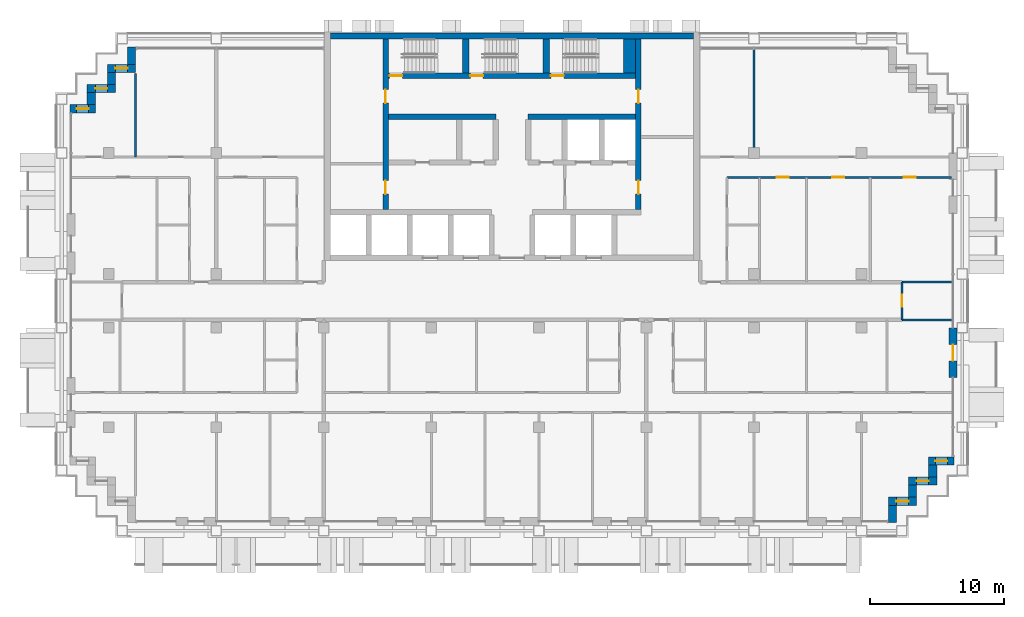
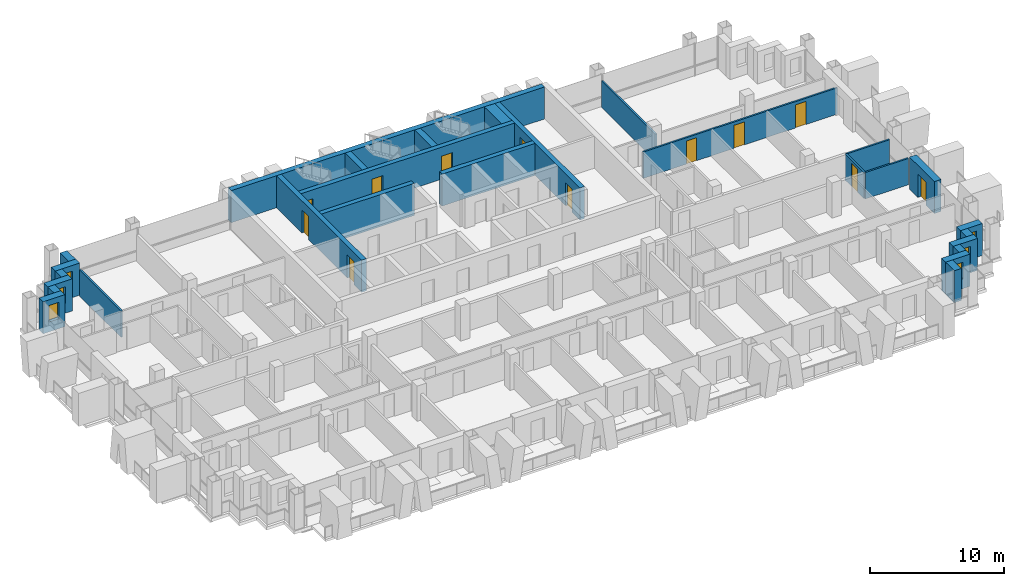
# One storey, part 11 of 18: 28 walls, 12 doors, 6 windows, 18 openings.
"""IFC4 building model written with IfcOpenShell, lengths in metres."""

from ifc_helpers import new_model, si_unit, direction, frame, frame_2d, origin, place, context, subcontext, project, spatial, rectangle, extrude, material, layer, layer_set, type_object, element, fill, save


model = new_model("IFC4")

# Units and contexts
model_context = context("Model", 3, precision=1e-05, world=origin(), true_north=direction((0.0, 1.0)))
body_context = subcontext(model_context, "Body", "Model", "MODEL_VIEW")
ifc_project = project(units=[si_unit("LENGTHUNIT", "METRE"), si_unit("AREAUNIT", "SQUARE_METRE"), si_unit("VOLUMEUNIT", "CUBIC_METRE"), si_unit("PLANEANGLEUNIT", "RADIAN"), si_unit("MASSUNIT", "GRAM", prefix="KILO")], contexts=[model_context])

# Site, building, storey
site_placement = place(None, origin())
site = spatial("IfcSite", under=ifc_project, at=site_placement, CompositionType="ELEMENT")
building_placement = place(site_placement, origin())
building = spatial("IfcBuilding", under=site, at=building_placement, Name="Vidyagriha Tower", CompositionType="ELEMENT")
storey_placement = place(building_placement, frame((0.0, 0.0, 142.199951171875)))
storey = spatial("IfcBuildingStorey", under=building, at=storey_placement, Name="L37", CompositionType="ELEMENT", Elevation=142.199951171875)

# Wall
ifc_material_1 = material(Name="Precast concrete C40/50 with brick facing", Category="concrete")
ifc_layer_1 = layer(ifc_material_1, 0.60009765625)
ifc_layer_set_1 = layer_set([ifc_layer_1], Name="Precast concrete C40/50 with brick facing")
wall_type_1 = type_object("IfcWallType", Name="Brick-faced precast wall 600", PredefinedType="STANDARD", material=ifc_layer_set_1)
wall_1_placement = place(storey_placement, frame((-28.300048828125, 18.8798828125, 0.0), z_axis=(0.0, 0.0, 1.0), x_axis=(0.0, -1.0, 0.0)))
element("IfcWall", 1, at=wall_1_placement, inside=storey, type_object=wall_type_1, Name="Stepped corner wall L37 R10", PredefinedType="STANDARD", context=body_context, shape_type="SweptSolid", body=[
    extrude(rectangle(XDim=1.27978515625, YDim=0.60009765625, at=frame_2d((0.639892578125, 0.0))), origin(), (0.0, 0.0, 1.0), 2.920166015625),
])

# Wall, opening, window
wall_2_placement = place(storey_placement, frame((-28.0, 17.300048828125, 0.0), z_axis=(0.0, 0.0, 1.0), x_axis=(-1.0, 0.0, 0.0)))
wall_2 = element("IfcWall", 2, at=wall_2_placement, inside=storey, type_object=wall_type_1, Name="Stepped corner wall L37 R11", PredefinedType="STANDARD", context=body_context, shape_type="SweptSolid", body=[
    extrude(rectangle(XDim=2.10009765625, YDim=0.60009765625, at=frame_2d((1.050048828125, 0.0))), origin(), (0.0, 0.0, 1.0), 2.920166015625),
])
opening_1_placement = place(wall_2_placement, frame((0.60009765625, 0.0, 0.89990234375)))
opening_1 = element("IfcOpeningElement", 3, at=opening_1_placement, cuts=wall_2, Name="Opening WN1", PredefinedType="OPENING", context=body_context, shape_type="SweptSolid", body=[
    extrude(rectangle(XDim=0.89990234375, YDim=1.5, at=frame_2d((0.449951171875, 0.75))), frame((0.0, 0.31005859375, 0.0), z_axis=(0.0, -1.0, 0.0), x_axis=(1.0, 0.0, 0.0)), (0.0, 0.0, 1.0), 0.6201171875),
])
ifc_material_2 = material(Name="Aluminium and glass window", Category="aluminium")
window_type = type_object("IfcWindowType", Name="Reveal window 900x1500", PartitioningType="NOTDEFINED", PredefinedType="WINDOW", material=ifc_material_2)
window_1_placement = place(opening_1_placement, origin())
window_1 = element("IfcWindow", 4, at=window_1_placement, inside=storey, type_object=window_type, Name="Reveal window L37 R11", OverallHeight=1.5, OverallWidth=0.89990234375, PartitioningType="SINGLE_PANEL", PredefinedType="WINDOW", context=body_context, shape_type="SweptSolid", body=[
    extrude(rectangle(XDim=0.89990234375, YDim=1.5, at=frame_2d((0.449951171875, 0.75))), frame((0.0, 0.030029296875, 0.0), z_axis=(0.0, -1.0, 0.0), x_axis=(1.0, 0.0, 0.0)), (0.0, 0.0, 1.0), 0.06005859375),
])
fill(opening_1, window_1)

# Wall
wall_3_placement = place(storey_placement, frame((-29.800048828125, 17.0, 0.0), z_axis=(0.0, 0.0, 1.0), x_axis=(0.0, -1.0, 0.0)))
element("IfcWall", 5, at=wall_3_placement, inside=storey, type_object=wall_type_1, Name="Stepped corner wall L37 R12", PredefinedType="STANDARD", context=body_context, shape_type="SweptSolid", body=[
    extrude(rectangle(XDim=0.89990234375, YDim=0.60009765625, at=frame_2d((0.449951171875, 0.0))), origin(), (0.0, 0.0, 1.0), 2.920166015625),
])

# Wall, opening, window
wall_4_placement = place(storey_placement, frame((-29.5, 15.800048828125, 0.0), z_axis=(0.0, 0.0, 1.0), x_axis=(-1.0, 0.0, 0.0)))
wall_4 = element("IfcWall", 6, at=wall_4_placement, inside=storey, type_object=wall_type_1, Name="Stepped corner wall L37 R13", PredefinedType="STANDARD", context=body_context, shape_type="SweptSolid", body=[
    extrude(rectangle(XDim=2.10009765625, YDim=0.60009765625, at=frame_2d((1.050048828125, 0.0))), origin(), (0.0, 0.0, 1.0), 2.920166015625),
])
opening_2_placement = place(wall_4_placement, frame((0.60009765625, 0.0, 0.89990234375)))
opening_2 = element("IfcOpeningElement", 7, at=opening_2_placement, cuts=wall_4, Name="Opening WN1", PredefinedType="OPENING", context=body_context, shape_type="SweptSolid", body=[
    extrude(rectangle(XDim=0.89990234375, YDim=1.5, at=frame_2d((0.449951171875, 0.75))), frame((0.0, 0.31005859375, 0.0), z_axis=(0.0, -1.0, 0.0), x_axis=(1.0, 0.0, 0.0)), (0.0, 0.0, 1.0), 0.6201171875),
])
window_2_placement = place(opening_2_placement, origin())
window_2 = element("IfcWindow", 8, at=window_2_placement, inside=storey, type_object=window_type, Name="Reveal window L37 R13", OverallHeight=1.5, OverallWidth=0.89990234375, PartitioningType="SINGLE_PANEL", PredefinedType="WINDOW", context=body_context, shape_type="SweptSolid", body=[
    extrude(rectangle(XDim=0.89990234375, YDim=1.5, at=frame_2d((0.449951171875, 0.75))), frame((0.0, 0.030029296875, 0.0), z_axis=(0.0, -1.0, 0.0), x_axis=(1.0, 0.0, 0.0)), (0.0, 0.0, 1.0), 0.06005859375),
])
fill(opening_2, window_2)

# Wall
wall_5_placement = place(storey_placement, frame((-31.300048828125, 15.5, 0.0), z_axis=(0.0, 0.0, 1.0), x_axis=(0.0, -1.0, 0.0)))
element("IfcWall", 9, at=wall_5_placement, inside=storey, type_object=wall_type_1, Name="Stepped corner wall L37 R14", PredefinedType="STANDARD", context=body_context, shape_type="SweptSolid", body=[
    extrude(rectangle(XDim=0.89990234375, YDim=0.60009765625, at=frame_2d((0.449951171875, 0.0))), origin(), (0.0, 0.0, 1.0), 2.920166015625),
])

# Wall, opening, window
wall_6_placement = place(storey_placement, frame((-31.0, 14.300048828125, 0.0), z_axis=(0.0, 0.0, 1.0), x_axis=(-1.0, 0.0, 0.0)))
wall_6 = element("IfcWall", 10, at=wall_6_placement, inside=storey, type_object=wall_type_1, Name="Stepped corner wall L37 R15", PredefinedType="STANDARD", context=body_context, shape_type="SweptSolid", body=[
    extrude(rectangle(XDim=1.8798828125, YDim=0.60009765625, at=frame_2d((0.93994140625, 0.0))), origin(), (0.0, 0.0, 1.0), 2.920166015625),
])
opening_3_placement = place(wall_6_placement, frame((0.489990234375, 0.0, 0.89990234375)))
opening_3 = element("IfcOpeningElement", 11, at=opening_3_placement, cuts=wall_6, Name="Opening WN1", PredefinedType="OPENING", context=body_context, shape_type="SweptSolid", body=[
    extrude(rectangle(XDim=0.89990234375, YDim=1.5, at=frame_2d((0.449951171875, 0.75))), frame((0.0, 0.31005859375, 0.0), z_axis=(0.0, -1.0, 0.0), x_axis=(1.0, 0.0, 0.0)), (0.0, 0.0, 1.0), 0.6201171875),
])
window_3_placement = place(opening_3_placement, origin())
window_3 = element("IfcWindow", 12, at=window_3_placement, inside=storey, type_object=window_type, Name="Reveal window L37 R15", OverallHeight=1.5, OverallWidth=0.89990234375, PartitioningType="SINGLE_PANEL", PredefinedType="WINDOW", context=body_context, shape_type="SweptSolid", body=[
    extrude(rectangle(XDim=0.89990234375, YDim=1.5, at=frame_2d((0.449951171875, 0.75))), frame((0.0, 0.030029296875, 0.0), z_axis=(0.0, -1.0, 0.0), x_axis=(1.0, 0.0, 0.0)), (0.0, 0.0, 1.0), 0.06005859375),
])
fill(opening_3, window_3)

# Wall
wall_7_placement = place(storey_placement, frame((28.300048828125, -16.47998046875, 0.0), z_axis=(0.0, 0.0, 1.0), x_axis=(0.0, 1.0, 0.0)))
element("IfcWall", 13, at=wall_7_placement, inside=storey, type_object=wall_type_1, Name="Stepped corner wall L37 R24", PredefinedType="STANDARD", context=body_context, shape_type="SweptSolid", body=[
    extrude(rectangle(XDim=1.280029296875, YDim=0.60009765625, at=frame_2d((0.64013671875, 0.0))), origin(), (0.0, 0.0, 1.0), 2.920166015625),
])

# Wall, opening, window
wall_8_placement = place(storey_placement, frame((28.0, -14.89990234375, 0.0)))
wall_8 = element("IfcWall", 14, at=wall_8_placement, inside=storey, type_object=wall_type_1, Name="Stepped corner wall L37 R25", PredefinedType="STANDARD", context=body_context, shape_type="SweptSolid", body=[
    extrude(rectangle(XDim=2.10009765625, YDim=0.60009765625, at=frame_2d((1.050048828125, 0.0))), origin(), (0.0, 0.0, 1.0), 2.920166015625),
])
opening_4_placement = place(wall_8_placement, frame((0.60009765625, 0.0, 0.89990234375)))
opening_4 = element("IfcOpeningElement", 15, at=opening_4_placement, cuts=wall_8, Name="Opening WN1", PredefinedType="OPENING", context=body_context, shape_type="SweptSolid", body=[
    extrude(rectangle(XDim=0.89990234375, YDim=1.5, at=frame_2d((0.449951171875, 0.75))), frame((0.0, 0.31005859375, 0.0), z_axis=(0.0, -1.0, 0.0), x_axis=(1.0, 0.0, 0.0)), (0.0, 0.0, 1.0), 0.6201171875),
])
window_4_placement = place(opening_4_placement, origin())
window_4 = element("IfcWindow", 16, at=window_4_placement, inside=storey, type_object=window_type, Name="Reveal window L37 R25", OverallHeight=1.5, OverallWidth=0.89990234375, PartitioningType="SINGLE_PANEL", PredefinedType="WINDOW", context=body_context, shape_type="SweptSolid", body=[
    extrude(rectangle(XDim=0.89990234375, YDim=1.5, at=frame_2d((0.449951171875, 0.75))), frame((0.0, 0.030029296875, 0.0), z_axis=(0.0, -1.0, 0.0), x_axis=(1.0, 0.0, 0.0)), (0.0, 0.0, 1.0), 0.06005859375),
])
fill(opening_4, window_4)

# Wall
wall_9_placement = place(storey_placement, frame((29.800048828125, -14.60009765625, 0.0), z_axis=(0.0, 0.0, 1.0), x_axis=(0.0, 1.0, 0.0)))
element("IfcWall", 17, at=wall_9_placement, inside=storey, type_object=wall_type_1, Name="Stepped corner wall L37 R26", PredefinedType="STANDARD", context=body_context, shape_type="SweptSolid", body=[
    extrude(rectangle(XDim=0.900146484375, YDim=0.60009765625, at=frame_2d((0.4501953125, 0.0))), origin(), (0.0, 0.0, 1.0), 2.920166015625),
])

# Wall, opening, window
wall_10_placement = place(storey_placement, frame((29.5, -13.39990234375, 0.0)))
wall_10 = element("IfcWall", 18, at=wall_10_placement, inside=storey, type_object=wall_type_1, Name="Stepped corner wall L37 R27", PredefinedType="STANDARD", context=body_context, shape_type="SweptSolid", body=[
    extrude(rectangle(XDim=2.10009765625, YDim=0.60009765625, at=frame_2d((1.050048828125, 0.0))), origin(), (0.0, 0.0, 1.0), 2.920166015625),
])
opening_5_placement = place(wall_10_placement, frame((0.60009765625, 0.0, 0.89990234375)))
opening_5 = element("IfcOpeningElement", 19, at=opening_5_placement, cuts=wall_10, Name="Opening WN1", PredefinedType="OPENING", context=body_context, shape_type="SweptSolid", body=[
    extrude(rectangle(XDim=0.89990234375, YDim=1.5, at=frame_2d((0.449951171875, 0.75))), frame((0.0, 0.31005859375, 0.0), z_axis=(0.0, -1.0, 0.0), x_axis=(1.0, 0.0, 0.0)), (0.0, 0.0, 1.0), 0.6201171875),
])
window_5_placement = place(opening_5_placement, origin())
window_5 = element("IfcWindow", 20, at=window_5_placement, inside=storey, type_object=window_type, Name="Reveal window L37 R27", OverallHeight=1.5, OverallWidth=0.89990234375, PartitioningType="SINGLE_PANEL", PredefinedType="WINDOW", context=body_context, shape_type="SweptSolid", body=[
    extrude(rectangle(XDim=0.89990234375, YDim=1.5, at=frame_2d((0.449951171875, 0.75))), frame((0.0, 0.030029296875, 0.0), z_axis=(0.0, -1.0, 0.0), x_axis=(1.0, 0.0, 0.0)), (0.0, 0.0, 1.0), 0.06005859375),
])
fill(opening_5, window_5)

# Wall
wall_11_placement = place(storey_placement, frame((31.300048828125, -13.10009765625, 0.0), z_axis=(0.0, 0.0, 1.0), x_axis=(0.0, 1.0, 0.0)))
element("IfcWall", 21, at=wall_11_placement, inside=storey, type_object=wall_type_1, Name="Stepped corner wall L37 R28", PredefinedType="STANDARD", context=body_context, shape_type="SweptSolid", body=[
    extrude(rectangle(XDim=0.900146484375, YDim=0.60009765625, at=frame_2d((0.4501953125, 0.0))), origin(), (0.0, 0.0, 1.0), 2.920166015625),
])

# Wall, opening, window
wall_12_placement = place(storey_placement, frame((31.0, -11.89990234375, 0.0)))
wall_12 = element("IfcWall", 22, at=wall_12_placement, inside=storey, type_object=wall_type_1, Name="Stepped corner wall L37 R29", PredefinedType="STANDARD", context=body_context, shape_type="SweptSolid", body=[
    extrude(rectangle(XDim=1.8798828125, YDim=0.60009765625, at=frame_2d((0.93994140625, 0.0))), origin(), (0.0, 0.0, 1.0), 2.920166015625),
])
opening_6_placement = place(wall_12_placement, frame((0.489990234375, 0.0, 0.89990234375)))
opening_6 = element("IfcOpeningElement", 23, at=opening_6_placement, cuts=wall_12, Name="Opening WN1", PredefinedType="OPENING", context=body_context, shape_type="SweptSolid", body=[
    extrude(rectangle(XDim=0.89990234375, YDim=1.5, at=frame_2d((0.449951171875, 0.75))), frame((0.0, 0.31005859375, 0.0), z_axis=(0.0, -1.0, 0.0), x_axis=(1.0, 0.0, 0.0)), (0.0, 0.0, 1.0), 0.6201171875),
])
window_6_placement = place(opening_6_placement, origin())
window_6 = element("IfcWindow", 24, at=window_6_placement, inside=storey, type_object=window_type, Name="Reveal window L37 R29", OverallHeight=1.5, OverallWidth=0.89990234375, PartitioningType="SINGLE_PANEL", PredefinedType="WINDOW", context=body_context, shape_type="SweptSolid", body=[
    extrude(rectangle(XDim=0.89990234375, YDim=1.5, at=frame_2d((0.449951171875, 0.75))), frame((0.0, 0.030029296875, 0.0), z_axis=(0.0, -1.0, 0.0), x_axis=(1.0, 0.0, 0.0)), (0.0, 0.0, 1.0), 0.06005859375),
])
fill(opening_6, window_6)

# Wall, opening, door
wall_13_placement = place(storey_placement, frame((32.800048828125, -5.699951171875, 0.0), z_axis=(0.0, 0.0, 1.0), x_axis=(0.0, 1.0, 0.0)))
wall_13 = element("IfcWall", 25, at=wall_13_placement, inside=storey, type_object=wall_type_1, Name="Brick door bay wall L37 R30.3", PredefinedType="STANDARD", context=body_context, shape_type="SweptSolid", body=[
    extrude(rectangle(XDim=3.699951171875, YDim=0.60009765625, at=frame_2d((1.85009765625, 0.0))), origin(), (0.0, 0.0, 1.0), 2.920166015625),
])
opening_7_placement = place(wall_13_placement, frame((1.25, 0.0, 0.0)))
opening_7 = element("IfcOpeningElement", 26, at=opening_7_placement, cuts=wall_13, Name="Opening D37-75", PredefinedType="OPENING", context=body_context, shape_type="SweptSolid", body=[
    extrude(rectangle(XDim=1.199951171875, YDim=2.10009765625, at=frame_2d((0.60009765625, 1.050048828125))), frame((0.0, 0.31005859375, 0.0), z_axis=(0.0, -1.0, 0.0), x_axis=(1.0, 0.0, 0.0)), (0.0, 0.0, 1.0), 0.6201171875),
])
ifc_material_3 = material(Name="Aluminium framed glazed sliding door", Category="aluminium")
door_type_1 = type_object("IfcDoorType", Name="Balcony sliding door 1200x2100", OperationType="NOTDEFINED", PredefinedType="DOOR", material=ifc_material_3)
door_1_placement = place(opening_7_placement, origin())
door_1 = element("IfcDoor", 27, at=door_1_placement, inside=storey, type_object=door_type_1, Name="Door D37-75", OperationType="SLIDING_TO_LEFT", OverallHeight=2.10009765625, OverallWidth=1.199951171875, PredefinedType="DOOR", context=body_context, shape_type="SweptSolid", body=[
    extrude(rectangle(XDim=1.199951171875, YDim=2.10009765625, at=frame_2d((0.60009765625, 1.050048828125))), frame((0.0, 0.02490234375, 0.0), z_axis=(0.0, -1.0, 0.0), x_axis=(1.0, 0.0, 0.0)), (0.0, 0.0, 1.0), 0.050048828125),
])
fill(opening_7, door_1)

# Wall, openings, doors
ifc_material_4 = material(Name="Concrete C60/75", Category="concrete")
ifc_layer_2 = layer(ifc_material_4, 0.39990234375)
ifc_layer_set_2 = layer_set([ifc_layer_2], Name="Concrete C60/75")
wall_type_2 = type_object("IfcWallType", Name="Core shear wall 400 mm", PredefinedType="SHEAR", material=ifc_layer_set_2)
wall_14_placement = place(storey_placement, frame((-9.39990234375, 6.800048828125, 0.0), z_axis=(0.0, 0.0, 1.0), x_axis=(0.0, 1.0, 0.0)))
wall_14 = element("IfcWall", 28, at=wall_14_placement, inside=storey, type_object=wall_type_2, Name="Core west spine wall", PredefinedType="SHEAR", context=body_context, shape_type="SweptSolid", body=[
    extrude(rectangle(XDim=12.699951171875, YDim=0.39990234375, at=frame_2d((6.35009765625, 0.0))), origin(), (0.0, 0.0, 1.0), 2.920166015625),
])
opening_8_placement = place(wall_14_placement, frame((1.14990234375, 0.0, 0.0)))
opening_8 = element("IfcOpeningElement", 29, at=opening_8_placement, cuts=wall_14, Name="Opening D37-09", PredefinedType="OPENING", context=body_context, shape_type="SweptSolid", body=[
    extrude(rectangle(XDim=1.0, YDim=2.10009765625, at=frame_2d((0.5, 1.050048828125))), frame((0.0, 0.2099609375, 0.0), z_axis=(0.0, -1.0, 0.0), x_axis=(1.0, 0.0, 0.0)), (0.0, 0.0, 1.0), 0.419921875),
])
opening_9_placement = place(wall_14_placement, frame((7.925048828125, 0.0, 0.0)))
opening_9 = element("IfcOpeningElement", 30, at=opening_9_placement, cuts=wall_14, Name="Opening D37-10", PredefinedType="OPENING", context=body_context, shape_type="SweptSolid", body=[
    extrude(rectangle(XDim=1.0, YDim=2.10009765625, at=frame_2d((0.5, 1.050048828125))), frame((0.0, 0.2099609375, 0.0), z_axis=(0.0, -1.0, 0.0), x_axis=(1.0, 0.0, 0.0)), (0.0, 0.0, 1.0), 0.419921875),
])
ifc_material_5 = material(Name="Hollow metal door leaf")
door_type_2 = type_object("IfcDoorType", Name="Core room door 1000 x 2100 mm EI 60", OperationType="NOTDEFINED", PredefinedType="DOOR", material=ifc_material_5)
door_2_placement = place(opening_8_placement, frame((1.0, 0.0, 0.0), z_axis=(0.0, 0.0, 1.0), x_axis=(-1.0, 0.0, 0.0)))
door_2 = element("IfcDoor", 31, at=door_2_placement, inside=storey, type_object=door_type_2, Name="Door Refuse Room 37.W1", OperationType="SINGLE_SWING_RIGHT", OverallHeight=2.10009765625, OverallWidth=1.0, PredefinedType="DOOR", context=body_context, shape_type="SweptSolid", body=[
    extrude(rectangle(XDim=1.0, YDim=2.10009765625, at=frame_2d((0.5, 1.050048828125))), frame((0.0, 0.02490234375, 0.0), z_axis=(0.0, -1.0, 0.0), x_axis=(1.0, 0.0, 0.0)), (0.0, 0.0, 1.0), 0.050048828125),
])
fill(opening_8, door_2)
door_3_placement = place(opening_9_placement, frame((1.0, 0.0, 0.0), z_axis=(0.0, 0.0, 1.0), x_axis=(-1.0, 0.0, 0.0)))
door_3 = element("IfcDoor", 32, at=door_3_placement, inside=storey, type_object=door_type_2, Name="Door Switchgear Room 37.W2", OperationType="SINGLE_SWING_LEFT", OverallHeight=2.10009765625, OverallWidth=1.0, PredefinedType="DOOR", context=body_context, shape_type="SweptSolid", body=[
    extrude(rectangle(XDim=1.0, YDim=2.10009765625, at=frame_2d((0.5, 1.050048828125))), frame((0.0, 0.02490234375, 0.0), z_axis=(0.0, -1.0, 0.0), x_axis=(1.0, 0.0, 0.0)), (0.0, 0.0, 1.0), 0.050048828125),
])
fill(opening_9, door_3)

wall_15_placement = place(storey_placement, frame((9.39990234375, 6.800048828125, 0.0), z_axis=(0.0, 0.0, 1.0), x_axis=(0.0, 1.0, 0.0)))
wall_15 = element("IfcWall", 33, at=wall_15_placement, inside=storey, type_object=wall_type_2, Name="Core east spine wall", PredefinedType="SHEAR", context=body_context, shape_type="SweptSolid", body=[
    extrude(rectangle(XDim=12.699951171875, YDim=0.39990234375, at=frame_2d((6.35009765625, 0.0))), origin(), (0.0, 0.0, 1.0), 2.920166015625),
])
opening_10_placement = place(wall_15_placement, frame((1.14990234375, 0.0, 0.0)))
opening_10 = element("IfcOpeningElement", 34, at=opening_10_placement, cuts=wall_15, Name="Opening D37-11", PredefinedType="OPENING", context=body_context, shape_type="SweptSolid", body=[
    extrude(rectangle(XDim=1.0, YDim=2.10009765625, at=frame_2d((0.5, 1.050048828125))), frame((0.0, 0.2099609375, 0.0), z_axis=(0.0, -1.0, 0.0), x_axis=(1.0, 0.0, 0.0)), (0.0, 0.0, 1.0), 0.419921875),
])
opening_11_placement = place(wall_15_placement, frame((7.925048828125, 0.0, 0.0)))
opening_11 = element("IfcOpeningElement", 35, at=opening_11_placement, cuts=wall_15, Name="Opening D37-12", PredefinedType="OPENING", context=body_context, shape_type="SweptSolid", body=[
    extrude(rectangle(XDim=1.0, YDim=2.10009765625, at=frame_2d((0.5, 1.050048828125))), frame((0.0, 0.2099609375, 0.0), z_axis=(0.0, -1.0, 0.0), x_axis=(1.0, 0.0, 0.0)), (0.0, 0.0, 1.0), 0.419921875),
])
door_4_placement = place(opening_10_placement, origin())
door_4 = element("IfcDoor", 36, at=door_4_placement, inside=storey, type_object=door_type_2, Name="Door Pressurisation Plant Room 37.E1", OperationType="SINGLE_SWING_RIGHT", OverallHeight=2.10009765625, OverallWidth=1.0, PredefinedType="DOOR", context=body_context, shape_type="SweptSolid", body=[
    extrude(rectangle(XDim=1.0, YDim=2.10009765625, at=frame_2d((0.5, 1.050048828125))), frame((0.0, 0.02490234375, 0.0), z_axis=(0.0, -1.0, 0.0), x_axis=(1.0, 0.0, 0.0)), (0.0, 0.0, 1.0), 0.050048828125),
])
fill(opening_10, door_4)
door_5_placement = place(opening_11_placement, origin())
door_5 = element("IfcDoor", 37, at=door_5_placement, inside=storey, type_object=door_type_2, Name="Door Storage Room 37.E2", OperationType="SINGLE_SWING_LEFT", OverallHeight=2.10009765625, OverallWidth=1.0, PredefinedType="DOOR", context=body_context, shape_type="SweptSolid", body=[
    extrude(rectangle(XDim=1.0, YDim=2.10009765625, at=frame_2d((0.5, 1.050048828125))), frame((0.0, 0.02490234375, 0.0), z_axis=(0.0, -1.0, 0.0), x_axis=(1.0, 0.0, 0.0)), (0.0, 0.0, 1.0), 0.050048828125),
])
fill(opening_11, door_5)

# Walls
for number, where, name in (
    (38, (-9.199951171875, 13.699951171875, 0.0), "Core row N rear wall"),
    (39, (1.199951171875, 13.699951171875, 0.0), "Core row N rear wall"),
):
    element("IfcWall", number, at=place(storey_placement, frame(where)), inside=storey, type_object=wall_type_2, Name=name, PredefinedType="SHEAR", context=body_context, shape_type="SweptSolid", body=[
        extrude(rectangle(XDim=8.0, YDim=0.39990234375, at=frame_2d((4.0, 0.0))), origin(), (0.0, 0.0, 1.0), 2.920166015625),
    ])

# Wall, openings, doors
wall_16_placement = place(storey_placement, frame((-9.199951171875, 16.75, 0.0)))
wall_16 = element("IfcWall", 40, at=wall_16_placement, inside=storey, type_object=wall_type_2, Name="Stair front wall", PredefinedType="SHEAR", context=body_context, shape_type="SweptSolid", body=[
    extrude(rectangle(XDim=18.39990234375, YDim=0.39990234375, at=frame_2d((9.199951171875, 0.0))), origin(), (0.0, 0.0, 1.0), 2.920166015625),
])
opening_12_placement = place(wall_16_placement, frame((0.10009765625, 0.0, 0.0)))
opening_12 = element("IfcOpeningElement", 41, at=opening_12_placement, cuts=wall_16, Name="Opening D37-06", PredefinedType="OPENING", context=body_context, shape_type="SweptSolid", body=[
    extrude(rectangle(XDim=0.949951171875, YDim=2.10009765625, at=frame_2d((0.47509765625, 1.050048828125))), frame((0.0, 0.2099609375, 0.0), z_axis=(0.0, -1.0, 0.0), x_axis=(1.0, 0.0, 0.0)), (0.0, 0.0, 1.0), 0.419921875),
])
opening_13_placement = place(wall_16_placement, frame((6.10009765625, 0.0, 0.0)))
opening_13 = element("IfcOpeningElement", 42, at=opening_13_placement, cuts=wall_16, Name="Opening D37-07", PredefinedType="OPENING", context=body_context, shape_type="SweptSolid", body=[
    extrude(rectangle(XDim=0.949951171875, YDim=2.10009765625, at=frame_2d((0.47509765625, 1.050048828125))), frame((0.0, 0.2099609375, 0.0), z_axis=(0.0, -1.0, 0.0), x_axis=(1.0, 0.0, 0.0)), (0.0, 0.0, 1.0), 0.419921875),
])
opening_14_placement = place(wall_16_placement, frame((12.10009765625, 0.0, 0.0)))
opening_14 = element("IfcOpeningElement", 43, at=opening_14_placement, cuts=wall_16, Name="Opening D37-08", PredefinedType="OPENING", context=body_context, shape_type="SweptSolid", body=[
    extrude(rectangle(XDim=0.949951171875, YDim=2.10009765625, at=frame_2d((0.47509765625, 1.050048828125))), frame((0.0, 0.2099609375, 0.0), z_axis=(0.0, -1.0, 0.0), x_axis=(1.0, 0.0, 0.0)), (0.0, 0.0, 1.0), 0.419921875),
])
ifc_material_6 = material(Name="Hollow metal door leaf")
door_type_3 = type_object("IfcDoorType", Name="Exit stair door 950 x 2100 mm EI 90", OperationType="NOTDEFINED", PredefinedType="DOOR", material=ifc_material_6)
door_6_placement = place(opening_12_placement, origin())
door_6 = element("IfcDoor", 44, at=door_6_placement, inside=storey, type_object=door_type_3, Name="Stair door ST1 L37", OperationType="SINGLE_SWING_LEFT", OverallHeight=2.10009765625, OverallWidth=0.949951171875, PredefinedType="DOOR", context=body_context, shape_type="SweptSolid", body=[
    extrude(rectangle(XDim=0.949951171875, YDim=2.10009765625, at=frame_2d((0.47509765625, 1.050048828125))), frame((0.0, 0.02490234375, 0.0), z_axis=(0.0, -1.0, 0.0), x_axis=(1.0, 0.0, 0.0)), (0.0, 0.0, 1.0), 0.050048828125),
])
fill(opening_12, door_6)
door_7_placement = place(opening_13_placement, origin())
door_7 = element("IfcDoor", 45, at=door_7_placement, inside=storey, type_object=door_type_3, Name="Stair door ST2 L37", OperationType="SINGLE_SWING_LEFT", OverallHeight=2.10009765625, OverallWidth=0.949951171875, PredefinedType="DOOR", context=body_context, shape_type="SweptSolid", body=[
    extrude(rectangle(XDim=0.949951171875, YDim=2.10009765625, at=frame_2d((0.47509765625, 1.050048828125))), frame((0.0, 0.02490234375, 0.0), z_axis=(0.0, -1.0, 0.0), x_axis=(1.0, 0.0, 0.0)), (0.0, 0.0, 1.0), 0.050048828125),
])
fill(opening_13, door_7)
door_8_placement = place(opening_14_placement, origin())
door_8 = element("IfcDoor", 46, at=door_8_placement, inside=storey, type_object=door_type_3, Name="Stair door ST3 L37", OperationType="SINGLE_SWING_LEFT", OverallHeight=2.10009765625, OverallWidth=0.949951171875, PredefinedType="DOOR", context=body_context, shape_type="SweptSolid", body=[
    extrude(rectangle(XDim=0.949951171875, YDim=2.10009765625, at=frame_2d((0.47509765625, 1.050048828125))), frame((0.0, 0.02490234375, 0.0), z_axis=(0.0, -1.0, 0.0), x_axis=(1.0, 0.0, 0.0)), (0.0, 0.0, 1.0), 0.050048828125),
])
fill(opening_14, door_8)

# Walls
ifc_material_7 = material(Name="Concrete C60/75", Category="concrete")
ifc_layer_3 = layer(ifc_material_7, 0.449951171875)
ifc_layer_set_3 = layer_set([ifc_layer_3], Name="Concrete C60/75")
wall_type_3 = type_object("IfcWallType", Name="Core shear wall 450 mm", PredefinedType="SHEAR", material=ifc_layer_set_3)
wall_17_placement = place(storey_placement, frame((-13.5, 19.72509765625, 0.0)))
element("IfcWall", 47, at=wall_17_placement, inside=storey, type_object=wall_type_3, Name="Core north wall", PredefinedType="SHEAR", context=body_context, shape_type="SweptSolid", body=[
    extrude(rectangle(XDim=27.0, YDim=0.449951171875, at=frame_2d((13.5, 0.0))), origin(), (0.0, 0.0, 1.0), 2.920166015625),
])
ifc_material_8 = material(Name="Concrete C60/75", Category="concrete")
ifc_layer_4 = layer(ifc_material_8, 0.5)
ifc_layer_set_4 = layer_set([ifc_layer_4], Name="Concrete C60/75")
wall_type_4 = type_object("IfcWallType", Name="Core shear wall 500 mm", PredefinedType="SHEAR", material=ifc_layer_set_4)
for number, where, z_axis, x_axis, name in (
    (48, (-3.449951171875, 16.949951171875, 0.0), (0.0, 0.0, 1.0), (0.0, 1.0, 0.0), "Stair partition wall 1"),
    (49, (2.550048828125, 16.949951171875, 0.0), (0.0, 0.0, 1.0), (0.0, 1.0, 0.0), "Stair partition wall 2"),
):
    element("IfcWall", number, at=place(storey_placement, frame(where, z_axis=z_axis, x_axis=x_axis)), inside=storey, type_object=wall_type_4, Name=name, PredefinedType="SHEAR", context=body_context, shape_type="SweptSolid", body=[
        extrude(rectangle(XDim=2.550048828125, YDim=0.5, at=frame_2d((1.27490234375, 0.0))), origin(), (0.0, 0.0, 1.0), 2.920166015625),
    ])
ifc_material_9 = material(Name="Concrete C60/75", Category="concrete")
ifc_layer_5 = layer(ifc_material_9, 0.89990234375)
ifc_layer_set_5 = layer_set([ifc_layer_5], Name="Concrete C60/75")
wall_type_5 = type_object("IfcWallType", Name="Core shear wall 900 mm", PredefinedType="SHEAR", material=ifc_layer_set_5)
wall_18_placement = place(storey_placement, frame((8.75, 16.949951171875, 0.0), z_axis=(0.0, 0.0, 1.0), x_axis=(0.0, 1.0, 0.0)))
element("IfcWall", 50, at=wall_18_placement, inside=storey, type_object=wall_type_5, Name="Stair end wall", PredefinedType="SHEAR", context=body_context, shape_type="SweptSolid", body=[
    extrude(rectangle(XDim=2.550048828125, YDim=0.89990234375, at=frame_2d((1.27490234375, 0.0))), origin(), (0.0, 0.0, 1.0), 2.920166015625),
])
ifc_material_10 = material(Name="Gypsum board partition")
ifc_layer_6 = layer(ifc_material_10, 0.14990234375)
ifc_layer_set_6 = layer_set([ifc_layer_6], Name="Gypsum board partition")
wall_type_6 = type_object("IfcWallType", Name="Gypsum board partition 150", PredefinedType="PARTITIONING", material=ifc_layer_set_6)
wall_19_placement = place(storey_placement, frame((32.719970703125, -1.39990234375, 0.0), z_axis=(0.0, 0.0, 1.0), x_axis=(-1.0, 0.0, 0.0)))
element("IfcWall", 51, at=wall_19_placement, inside=storey, type_object=wall_type_6, Name="Wall all-L37-w070", PredefinedType="PARTITIONING", context=body_context, shape_type="SweptSolid", body=[
    extrude(rectangle(XDim=3.719970703125, YDim=0.14990234375, at=frame_2d((1.85986328125, 0.0))), origin(), (0.0, 0.0, 1.0), 2.400146484375),
])
wall_20_placement = place(storey_placement, frame((-28.0, 16.919921875, 0.0), z_axis=(0.0, 0.0, 1.0), x_axis=(0.0, -1.0, 0.0)))
element("IfcWall", 52, at=wall_20_placement, inside=storey, type_object=wall_type_6, Name="Wall all-L37-w081", PredefinedType="PARTITIONING", context=body_context, shape_type="SweptSolid", body=[
    extrude(rectangle(XDim=6.219970703125, YDim=0.14990234375, at=frame_2d((3.10986328125, 0.0))), origin(), (0.0, 0.0, 1.0), 2.400146484375),
])

# Wall, openings, doors
wall_21_placement = place(storey_placement, frame((32.7099609375, 9.199951171875, 0.0), z_axis=(0.0, 0.0, 1.0), x_axis=(-1.0, 0.0, 0.0)))
wall_21 = element("IfcWall", 53, at=wall_21_placement, inside=storey, type_object=wall_type_6, Name="Wall all-L37-w103", PredefinedType="PARTITIONING", context=body_context, shape_type="SweptSolid", body=[
    extrude(rectangle(XDim=16.7099609375, YDim=0.14990234375, at=frame_2d((8.35498046875, 0.0))), origin(), (0.0, 0.0, 1.0), 2.400146484375),
])
opening_15_placement = place(wall_21_placement, frame((12.110107421875, 0.0, 0.0)))
opening_15 = element("IfcOpeningElement", 54, at=opening_15_placement, cuts=wall_21, Name="Opening D37-58", PredefinedType="OPENING", context=body_context, shape_type="SweptSolid", body=[
    extrude(rectangle(XDim=0.89990234375, YDim=2.10009765625, at=frame_2d((0.449951171875, 1.050048828125))), frame((0.0, 0.0849609375, 0.0), z_axis=(0.0, -1.0, 0.0), x_axis=(1.0, 0.0, 0.0)), (0.0, 0.0, 1.0), 0.169921875),
])
opening_16_placement = place(wall_21_placement, frame((7.985107421875, 0.0, 0.0)))
opening_16 = element("IfcOpeningElement", 55, at=opening_16_placement, cuts=wall_21, Name="Opening D37-59", PredefinedType="OPENING", context=body_context, shape_type="SweptSolid", body=[
    extrude(rectangle(XDim=0.89990234375, YDim=2.10009765625, at=frame_2d((0.449951171875, 1.050048828125))), frame((0.0, 0.0849609375, 0.0), z_axis=(0.0, -1.0, 0.0), x_axis=(1.0, 0.0, 0.0)), (0.0, 0.0, 1.0), 0.169921875),
])
opening_17_placement = place(wall_21_placement, frame((2.68505859375, 0.0, 0.0)))
opening_17 = element("IfcOpeningElement", 56, at=opening_17_placement, cuts=wall_21, Name="Opening D37-60", PredefinedType="OPENING", context=body_context, shape_type="SweptSolid", body=[
    extrude(rectangle(XDim=0.89990234375, YDim=2.10009765625, at=frame_2d((0.449951171875, 1.050048828125))), frame((0.0, 0.0849609375, 0.0), z_axis=(0.0, -1.0, 0.0), x_axis=(1.0, 0.0, 0.0)), (0.0, 0.0, 1.0), 0.169921875),
])
ifc_material_11 = material(Name="Timber door leaf", Category="wood")
door_type_4 = type_object("IfcDoorType", Name="Room door 900x2100", OperationType="NOTDEFINED", PredefinedType="DOOR", material=ifc_material_11)
door_9_placement = place(opening_15_placement, origin())
door_9 = element("IfcDoor", 57, at=door_9_placement, inside=storey, type_object=door_type_4, Name="Door D37-58", OperationType="SINGLE_SWING_RIGHT", OverallHeight=2.10009765625, OverallWidth=0.89990234375, PredefinedType="DOOR", context=body_context, shape_type="SweptSolid", body=[
    extrude(rectangle(XDim=0.89990234375, YDim=2.10009765625, at=frame_2d((0.449951171875, 1.050048828125))), frame((0.0, 0.02490234375, 0.0), z_axis=(0.0, -1.0, 0.0), x_axis=(1.0, 0.0, 0.0)), (0.0, 0.0, 1.0), 0.050048828125),
])
fill(opening_15, door_9)
door_10_placement = place(opening_16_placement, origin())
door_10 = element("IfcDoor", 58, at=door_10_placement, inside=storey, type_object=door_type_4, Name="Door D37-59", OperationType="SINGLE_SWING_RIGHT", OverallHeight=2.10009765625, OverallWidth=0.89990234375, PredefinedType="DOOR", context=body_context, shape_type="SweptSolid", body=[
    extrude(rectangle(XDim=0.89990234375, YDim=2.10009765625, at=frame_2d((0.449951171875, 1.050048828125))), frame((0.0, 0.02490234375, 0.0), z_axis=(0.0, -1.0, 0.0), x_axis=(1.0, 0.0, 0.0)), (0.0, 0.0, 1.0), 0.050048828125),
])
fill(opening_16, door_10)
door_11_placement = place(opening_17_placement, origin())
door_11 = element("IfcDoor", 59, at=door_11_placement, inside=storey, type_object=door_type_4, Name="Door D37-60", OperationType="SINGLE_SWING_RIGHT", OverallHeight=2.10009765625, OverallWidth=0.89990234375, PredefinedType="DOOR", context=body_context, shape_type="SweptSolid", body=[
    extrude(rectangle(XDim=0.89990234375, YDim=2.10009765625, at=frame_2d((0.449951171875, 1.050048828125))), frame((0.0, 0.02490234375, 0.0), z_axis=(0.0, -1.0, 0.0), x_axis=(1.0, 0.0, 0.0)), (0.0, 0.0, 1.0), 0.050048828125),
])
fill(opening_17, door_11)

# Walls
wall_22_placement = place(storey_placement, frame((18.0, 18.720947265625, 0.0), z_axis=(0.0, 0.0, 1.0), x_axis=(0.0, -1.0, 0.0)))
element("IfcWall", 60, at=wall_22_placement, inside=storey, type_object=wall_type_6, Name="Wall all-L37-w110", PredefinedType="PARTITIONING", context=body_context, shape_type="SweptSolid", body=[
    extrude(rectangle(XDim=8.02099609375, YDim=0.14990234375, at=frame_2d((4.010498046875, 0.0))), origin(), (0.0, 0.0, 1.0), 2.400146484375),
])
wall_23_placement = place(storey_placement, frame((29.0, 1.39990234375, 0.0)))
element("IfcWall", 61, at=wall_23_placement, inside=storey, type_object=wall_type_6, Name="Wall all-L37-w113", PredefinedType="PARTITIONING", context=body_context, shape_type="SweptSolid", body=[
    extrude(rectangle(XDim=3.719970703125, YDim=0.14990234375, at=frame_2d((1.85986328125, 0.0))), origin(), (0.0, 0.0, 1.0), 2.400146484375),
])

# Wall, opening, door
wall_24_placement = place(storey_placement, frame((29.0, -1.39990234375, 0.0), z_axis=(0.0, 0.0, 1.0), x_axis=(0.0, 1.0, 0.0)))
wall_24 = element("IfcWall", 62, at=wall_24_placement, inside=storey, type_object=wall_type_6, Name="Wall all-L37-w116", PredefinedType="PARTITIONING", context=body_context, shape_type="SweptSolid", body=[
    extrude(rectangle(XDim=2.7998046875, YDim=0.14990234375, at=frame_2d((1.39990234375, 0.0))), origin(), (0.0, 0.0, 1.0), 2.400146484375),
])
opening_18_placement = place(wall_24_placement, frame((0.949951171875, 0.0, 0.0)))
opening_18 = element("IfcOpeningElement", 63, at=opening_18_placement, cuts=wall_24, Name="Opening D37-65", PredefinedType="OPENING", context=body_context, shape_type="SweptSolid", body=[
    extrude(rectangle(XDim=0.89990234375, YDim=2.10009765625, at=frame_2d((0.449951171875, 1.050048828125))), frame((0.0, 0.0849609375, 0.0), z_axis=(0.0, -1.0, 0.0), x_axis=(1.0, 0.0, 0.0)), (0.0, 0.0, 1.0), 0.169921875),
])
door_12_placement = place(opening_18_placement, origin())
door_12 = element("IfcDoor", 64, at=door_12_placement, inside=storey, type_object=door_type_4, Name="Door D37-65", OperationType="SINGLE_SWING_RIGHT", OverallHeight=2.10009765625, OverallWidth=0.89990234375, PredefinedType="DOOR", context=body_context, shape_type="SweptSolid", body=[
    extrude(rectangle(XDim=0.89990234375, YDim=2.10009765625, at=frame_2d((0.449951171875, 1.050048828125))), frame((0.0, 0.02490234375, 0.0), z_axis=(0.0, -1.0, 0.0), x_axis=(1.0, 0.0, 0.0)), (0.0, 0.0, 1.0), 0.050048828125),
])
fill(opening_18, door_12)

save(model, "model.ifc")
